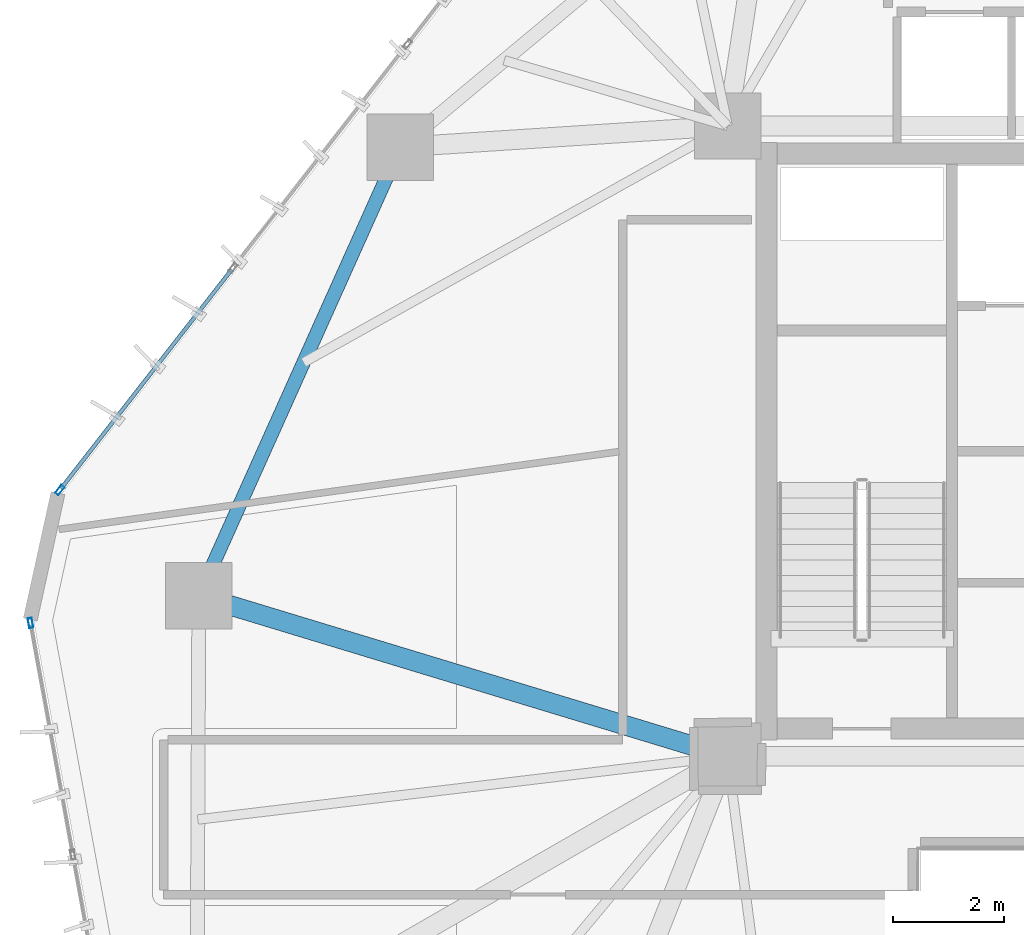
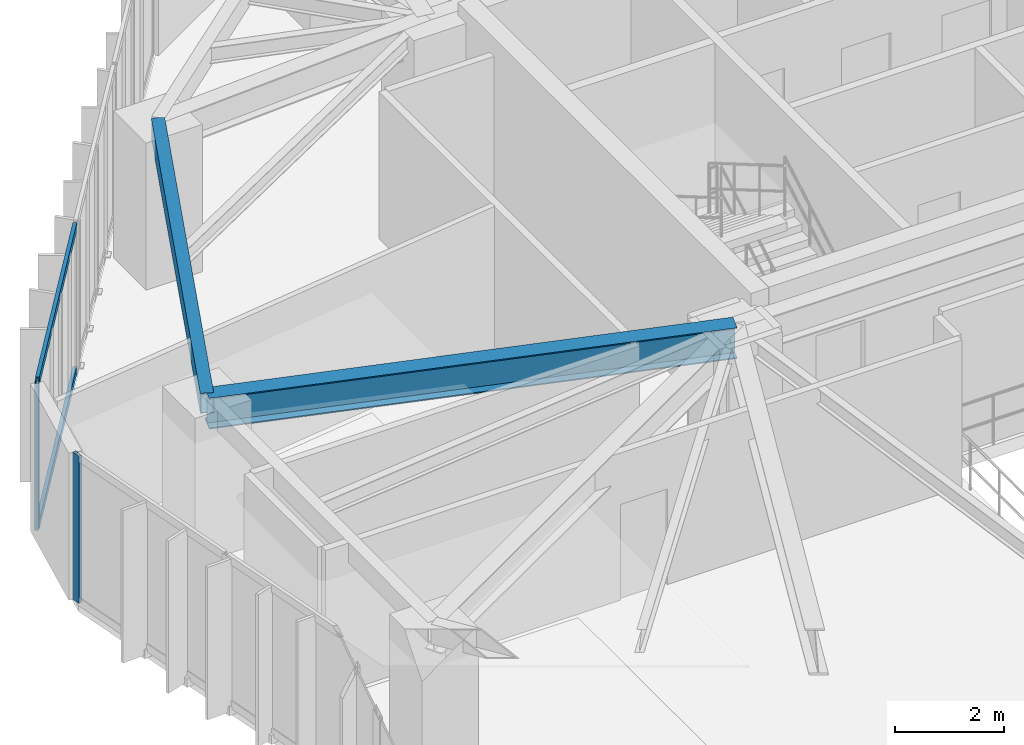
# One storey, part 9 of 24: 4 members, 2 beams, 2 elements without a shape of their own.
"""IFC4 building model written with IfcOpenShell, lengths in metres."""

from ifc_helpers import new_model, si_unit, direction, frame, origin, origin_2d, place, context, subcontext, project, spatial, hollow_rectangle, i_section, extrude, source, transform, mapped, material, layer, layer_set, material_profile, profile_set, type_object, type_shapes, element, aggregate, save


model = new_model("IFC4")

# Units and contexts
model_context = context("Model", 3, precision=1e-05, world=origin(), true_north=direction((0.0, 1.0)))
body_context = subcontext(model_context, "Body", "Model", "MODEL_VIEW")
ifc_project = project(units=[si_unit("LENGTHUNIT", "METRE"), si_unit("AREAUNIT", "SQUARE_METRE"), si_unit("VOLUMEUNIT", "CUBIC_METRE"), si_unit("PLANEANGLEUNIT", "RADIAN"), si_unit("MASSUNIT", "GRAM", prefix="KILO")], contexts=[model_context])

# Site, building, storey
site_placement = place(None, origin())
site = spatial("IfcSite", under=ifc_project, at=site_placement, CompositionType="ELEMENT")
building_placement = place(site_placement, origin())
building = spatial("IfcBuilding", under=site, at=building_placement, Name="Talar Marvaseh", CompositionType="ELEMENT")
storey_placement = place(building_placement, frame((0.0, 0.0, 114.60009765625)))
storey = spatial("IfcBuildingStorey", under=building, at=storey_placement, Name="L29", CompositionType="ELEMENT", Elevation=114.60009765625)

# Beams
ifc_material_1 = material(Name="Steel S355", Category="steel")
ifc_material_profile_1 = material_profile(ifc_material_1, hollow_rectangle(XDim=0.25, YDim=0.449951171875, WallThickness=0.01611328125, at=origin_2d()), Name="RHS450x250x16")
ifc_profile_set_1 = profile_set([ifc_material_profile_1], Name="Steel S355")
beam_type_1 = type_object("IfcBeamType", Name="Zone 2 Perimeter Spandrel Beam RHS450x250x16", PredefinedType="SPANDREL", material=ifc_profile_set_1)
beam_1_placement = place(storey_placement, frame((9.137939453125, 28.402099609375, 3.0849609375), z_axis=(0.409461733275, 0.912327292688, 0.0), x_axis=(-0.912327292688, 0.409461733275, 0.0)))
element("IfcBeam", 1, at=beam_1_placement, inside=storey, type_object=beam_type_1, Name="L29 Zone 2 Perimeter Spandrel Beam RHS450x250x16", PredefinedType="SPANDREL", context=body_context, shape_type="SweptSolid", body=[
    extrude(hollow_rectangle(XDim=0.25, YDim=0.449951171875, WallThickness=0.01611328125, at=origin_2d()), origin(), (0.0, 0.0, 1.0), 8.894775390625),
])
ifc_material_profile_2 = material_profile(ifc_material_1, i_section(OverallWidth=0.35498046875, OverallDepth=0.695068359375, WebThickness=0.015380859375, FlangeThickness=0.02490234375, at=origin_2d()), Name="W690x217")
ifc_profile_set_2 = profile_set([ifc_material_profile_2], Name="Steel S355")
beam_type_2 = type_object("IfcBeamType", Name="Zone 2 Radial Floor Girder W690x217", PredefinedType="BEAM", material=ifc_profile_set_2)
beam_2_placement = place(storey_placement, frame((9.137939453125, 28.402099609375, 2.96240234375), z_axis=(0.956898764921, -0.290421682546, 0.0), x_axis=(0.290421682546, 0.956898764921, 0.0)))
element("IfcBeam", 2, at=beam_2_placement, inside=storey, type_object=beam_type_2, Name="L29 Zone 2 Radial Floor Girder W690x217", PredefinedType="BEAM", context=body_context, shape_type="SweptSolid", body=[
    extrude(i_section(OverallWidth=0.35498046875, OverallDepth=0.695068359375, WebThickness=0.015380859375, FlangeThickness=0.02490234375, at=origin_2d()), origin(), (0.0, 0.0, 1.0), 9.99267578125),
])

# Curtain wall, members
ifc_material_2 = material(Name="Architectural Aluminium", Category="aluminium")
ifc_layer = layer(ifc_material_2, 0.199951171875)
ifc_layer_set = layer_set([ifc_layer], Name="Architectural Aluminium")
curtain_wall_type = type_object("IfcCurtainWallType", Name="Unitised Acoustic Library Curtain Wall Z2", PredefinedType="NOTDEFINED", material=ifc_layer_set)
curtain_wall_1_placement = place(storey_placement, origin())
curtain_wall_1 = element("IfcCurtainWall", 3, at=curtain_wall_1_placement, inside=storey, type_object=curtain_wall_type, Name="L29 Unitised Acoustic Library Curtain Wall Z2", PredefinedType="NOTDEFINED")
ifc_material_profile_3 = material_profile(ifc_material_2, hollow_rectangle(XDim=0.074951171875, YDim=0.179931640625, WallThickness=0.0048828125, at=origin_2d()), Name="RHS180x75x5")
ifc_profile_set_3 = profile_set([ifc_material_profile_3], Name="Architectural Aluminium")
member_type_1 = type_object("IfcMemberType", Name="Unitised Curtain Wall Transom RHS180x75x5", PredefinedType="USERDEFINED", material=ifc_profile_set_3)
shared_shape_1 = source(origin(), body_context, "Body", "SweptSolid", [
    extrude(hollow_rectangle(XDim=0.074951171875, YDim=0.179931640625, WallThickness=0.0048828125, at=origin_2d()), origin(), (0.0, 0.0, 1.0), 5.017578125),
])
type_shapes(member_type_1, [shared_shape_1])
member_1_placement = place(storey_placement, frame((6.647216796875, 30.343505859375, 0.037353515625), z_axis=(0.614735286226, 0.788733496099, 0.0), x_axis=(-0.788733496099, 0.614735286226, 0.0)))
member_1 = element("IfcMember", 4, at=member_1_placement, type_object=member_type_1, Name="CW-Z2 transom 1.1", ObjectType="TRANSOM", PredefinedType="USERDEFINED", context=body_context, shape_type="MappedRepresentation", body=[
    mapped(shared_shape_1, transform((0.0, 0.0, 0.0), x_axis=(1.0, 0.0, 0.0), y_axis=(0.0, 1.0, 0.0), z_axis=(0.0, 0.0, 1.0), scale=1.0)),
])
member_2_placement = place(storey_placement, frame((6.647216796875, 30.343505859375, 3.2724609375), z_axis=(0.614735286226, 0.788733496099, 0.0), x_axis=(-0.788733496099, 0.614735286226, 0.0)))
member_2 = element("IfcMember", 5, at=member_2_placement, type_object=member_type_1, Name="CW-Z2 transom 1.2", ObjectType="TRANSOM", PredefinedType="USERDEFINED", context=body_context, shape_type="MappedRepresentation", body=[
    mapped(shared_shape_1, transform((0.0, 0.0, 0.0), x_axis=(1.0, 0.0, 0.0), y_axis=(0.0, 1.0, 0.0), z_axis=(0.0, 0.0, 1.0), scale=1.0)),
])

# Curtain wall, member
curtain_wall_2_placement = place(storey_placement, origin())
curtain_wall_2 = element("IfcCurtainWall", 6, at=curtain_wall_2_placement, inside=storey, type_object=curtain_wall_type, Name="L29 Unitised Acoustic Library Curtain Wall Z2", PredefinedType="NOTDEFINED")
ifc_material_profile_4 = material_profile(ifc_material_2, hollow_rectangle(XDim=0.074951171875, YDim=0.179931640625, WallThickness=0.0048828125, at=origin_2d()), Name="RHS180x75x5")
ifc_profile_set_4 = profile_set([ifc_material_profile_4], Name="Architectural Aluminium")
member_type_2 = type_object("IfcMemberType", Name="Unitised Curtain Wall Standard Mullion RHS180x75x5", PredefinedType="MULLION", material=ifc_profile_set_4)
shared_shape_2 = source(origin(), body_context, "Body", "SweptSolid", [
    extrude(hollow_rectangle(XDim=0.074951171875, YDim=0.179931640625, WallThickness=0.0048828125, at=origin_2d()), origin(), (0.0, 0.0, 1.0), 3.309814453125),
])
type_shapes(member_type_2, [shared_shape_2])
member_3_placement = place(storey_placement, frame((6.0947265625, 27.913330078125, 0.0), z_axis=(0.0, 0.0, 1.0), x_axis=(-0.983740753921, -0.179594345885, 0.0)))
member_3 = element("IfcMember", 7, at=member_3_placement, type_object=member_type_2, Name="CW-Z2 mullion 5", PredefinedType="MULLION", context=body_context, shape_type="MappedRepresentation", body=[
    mapped(shared_shape_2, transform((0.0, 0.0, 0.0), x_axis=(1.0, 0.0, 0.0), y_axis=(0.0, 1.0, 0.0), z_axis=(0.0, 0.0, 1.0), scale=1.0)),
])
aggregate(curtain_wall_2, [member_3])

# Member
member_4_placement = place(storey_placement, frame((6.624267578125, 30.31396484375, 0.0), z_axis=(0.0, 0.0, 1.0), x_axis=(-0.788737443785, 0.614730221131, 0.0)))
member_4 = element("IfcMember", 8, at=member_4_placement, type_object=member_type_2, Name="CW-Z2 mullion 1", PredefinedType="MULLION", context=body_context, shape_type="MappedRepresentation", body=[
    mapped(shared_shape_2, transform((0.0, 0.0, 0.0), x_axis=(1.0, 0.0, 0.0), y_axis=(0.0, 1.0, 0.0), z_axis=(0.0, 0.0, 1.0), scale=1.0)),
])

aggregate(curtain_wall_1, [member_4, member_1, member_2])

save(model, "model.ifc")
